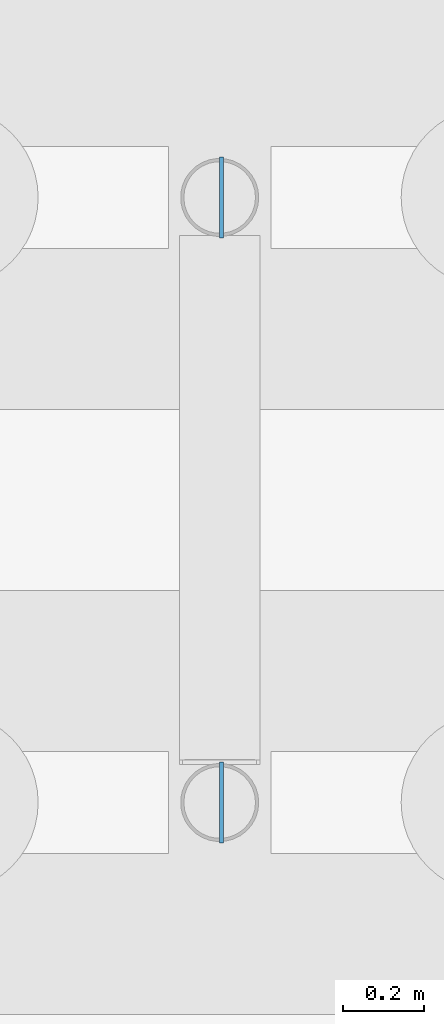
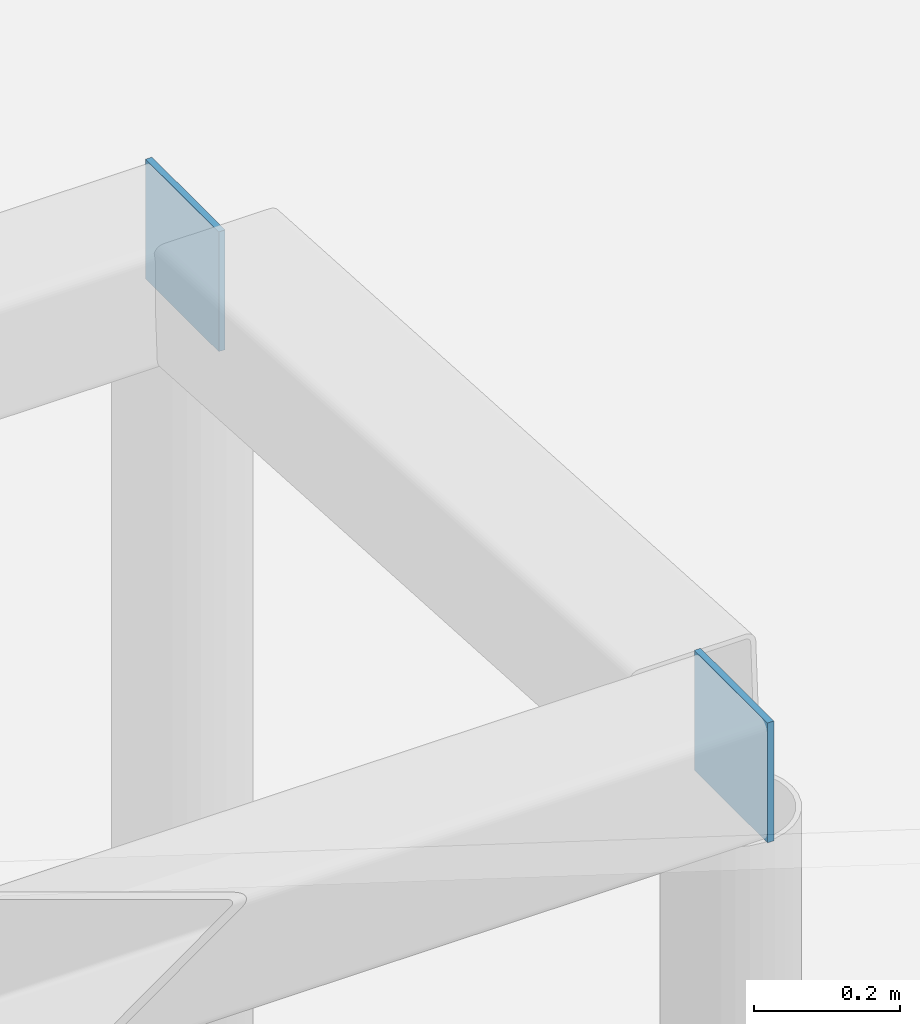
# One storey, part 173 of 250: 2 discrete accessories.
"""IFC4 building model written with IfcOpenShell, lengths in metres."""

from ifc_helpers import new_model, si_unit, direction, frame, origin, origin_2d, place, context, subcontext, project, spatial, rectangle, extrude, material, type_object, element, save


model = new_model("IFC4")

# Units and contexts
model_context = context("Model", 3, precision=1e-05, world=origin(), true_north=direction((0.0, 1.0)))
body_context = subcontext(model_context, "Body", "Model", "MODEL_VIEW")
ifc_project = project(units=[si_unit("LENGTHUNIT", "METRE"), si_unit("AREAUNIT", "SQUARE_METRE"), si_unit("VOLUMEUNIT", "CUBIC_METRE"), si_unit("PLANEANGLEUNIT", "RADIAN"), si_unit("MASSUNIT", "GRAM", prefix="KILO")], contexts=[model_context])

# Site, building, storey
site_placement = place(None, origin())
site = spatial("IfcSite", under=ifc_project, at=site_placement, CompositionType="ELEMENT")
building_placement = place(site_placement, origin())
building = spatial("IfcBuilding", under=site, at=building_placement, Name="Baradari Gate Terminus", CompositionType="ELEMENT")
storey_placement = place(building_placement, origin())
storey = spatial("IfcBuildingStorey", under=building, at=storey_placement, Name="L00", CompositionType="ELEMENT", Elevation=0.0)

# Discrete accessories
ifc_material = material(Name="Steel S355", Category="steel")
discrete_accessory_type = type_object("IfcDiscreteAccessoryType", Name="Hollow section end plate EP-1 200x200x10", PredefinedType="ANCHORPLATE", material=ifc_material)
for number, where, z_axis, x_axis, name in (
    (1, (226.0, 138.0, 4.66015625), (1.0, 0.0, 0.0), (0.0, 1.0, 0.0), "End plate EP-1 at the end of Bus shelter edge beam 1.4"),
    (2, (226.0, 139.5, 4.570068359375), (1.0, 0.0, 0.0), (0.0, 1.0, 0.0), "End plate EP-1 at the end of Bus shelter edge beam 2.4"),
):
    element("IfcDiscreteAccessory", number, at=place(storey_placement, frame(where, z_axis=z_axis, x_axis=x_axis)), inside=storey, type_object=discrete_accessory_type, Name=name, PredefinedType="ANCHORPLATE", context=body_context, shape_type="SweptSolid", body=[
        extrude(rectangle(XDim=0.199951171875, YDim=0.199951171875, at=origin_2d()), origin(), (0.0, 0.0, 1.0), 0.010009765625),
    ])

save(model, "model.ifc")
